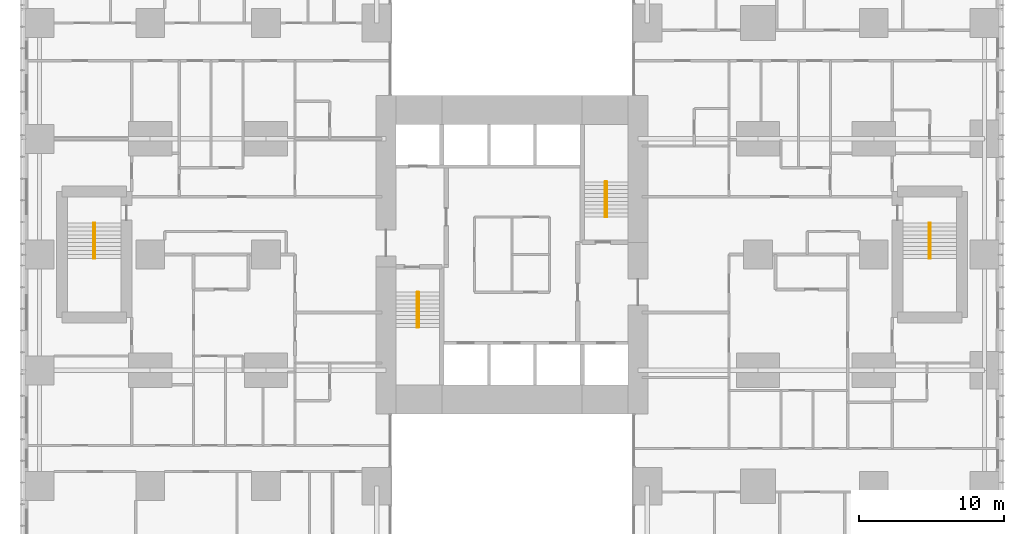
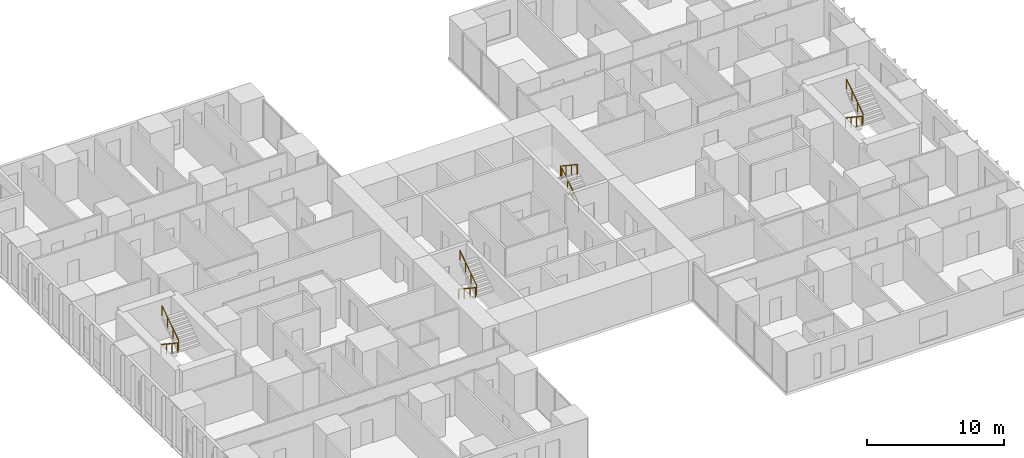
# One storey, part 20 of 20: 8 railings.
"""IFC4 building model written with IfcOpenShell, lengths in metres."""

from ifc_helpers import new_model, si_unit, direction, frame, origin, origin_2d, place, context, subcontext, project, spatial, circle, extrude, material, type_object, element, save


model = new_model("IFC4")

# Units and contexts
model_context = context("Model", 3, precision=1e-05, world=origin(), true_north=direction((0.0, 1.0)))
body_context = subcontext(model_context, "Body", "Model", "MODEL_VIEW")
ifc_project = project(units=[si_unit("LENGTHUNIT", "METRE"), si_unit("AREAUNIT", "SQUARE_METRE"), si_unit("VOLUMEUNIT", "CUBIC_METRE"), si_unit("PLANEANGLEUNIT", "RADIAN"), si_unit("MASSUNIT", "GRAM", prefix="KILO")], contexts=[model_context])

# Site, building, storey
site_placement = place(None, origin())
site = spatial("IfcSite", under=ifc_project, at=site_placement, CompositionType="ELEMENT")
building_placement = place(site_placement, origin())
building = spatial("IfcBuilding", under=site, at=building_placement, Name="Cleftline Residences", CompositionType="ELEMENT")
storey_placement = place(building_placement, frame((0.0, 0.0, 103.39990234375)))
storey = spatial("IfcBuildingStorey", under=building, at=storey_placement, Name="L26", CompositionType="ELEMENT", Elevation=103.39990234375)

# Railings
ifc_material = material(Name="Stainless steel", Category="steel")
railing_type = type_object("IfcRailingType", Name="HANDRAIL 900", PredefinedType="HANDRAIL", material=ifc_material)
railing_1_placement = place(storey_placement, frame((26.449951171875, 21.39990234375, 0.18017578125)))
element("IfcRailing", 1, at=railing_1_placement, inside=storey, type_object=railing_type, Name="Stair handrail", PredefinedType="HANDRAIL", context=body_context, shape_type="SweptSolid", body=[
    extrude(circle(Radius=0.02392578125, at=origin_2d()), frame((0.0, 0.0, 0.8759765625), z_axis=(0.0, -0.832063155534, 0.554680903946), x_axis=(1.0, 0.0, 0.0)), (0.0, 0.0, 1.0), 2.92041015625),
    extrude(circle(Radius=0.02099609375, at=origin_2d()), origin(), (0.0, 0.0, 1.0), 0.851806640625),
    extrude(circle(Radius=0.02099609375, at=origin_2d()), frame((0.0, -0.81005859375, 0.5400390625)), (0.0, 0.0, 1.0), 0.851806640625),
    extrude(circle(Radius=0.02099609375, at=origin_2d()), frame((0.0, -1.619873046875, 1.079833984375)), (0.0, 0.0, 1.0), 0.851806640625),
    extrude(circle(Radius=0.02099609375, at=origin_2d()), frame((0.0, -2.429931640625, 1.619873046875)), (0.0, 0.0, 1.0), 0.851806640625),
])
railing_2_placement = place(storey_placement, frame((26.550048828125, 18.969970703125, 1.97998046875)))
element("IfcRailing", 2, at=railing_2_placement, inside=storey, type_object=railing_type, Name="Stair handrail", PredefinedType="HANDRAIL", context=body_context, shape_type="SweptSolid", body=[
    extrude(circle(Radius=0.02392578125, at=origin_2d()), frame((0.0, 0.0, 0.8759765625), z_axis=(0.0, 0.832024571796, 0.554738778101), x_axis=(-1.0, 0.0, 0.0)), (0.0, 0.0, 1.0), 2.92041015625),
    extrude(circle(Radius=0.02099609375, at=origin_2d()), origin(), (0.0, 0.0, 1.0), 0.851806640625),
    extrude(circle(Radius=0.02099609375, at=origin_2d()), frame((0.0, 0.81005859375, 0.5400390625)), (0.0, 0.0, 1.0), 0.851806640625),
    extrude(circle(Radius=0.02099609375, at=origin_2d()), frame((0.0, 1.619873046875, 1.080078125)), (0.0, 0.0, 1.0), 0.851806640625),
    extrude(circle(Radius=0.02099609375, at=origin_2d()), frame((0.0, 2.429931640625, 1.6201171875)), (0.0, 0.0, 1.0), 0.851806640625),
])
railing_3_placement = place(storey_placement, frame((39.550048828125, 26.60009765625, 0.18017578125)))
element("IfcRailing", 3, at=railing_3_placement, inside=storey, type_object=railing_type, Name="Stair handrail", PredefinedType="HANDRAIL", context=body_context, shape_type="SweptSolid", body=[
    extrude(circle(Radius=0.02392578125, at=origin_2d()), frame((0.0, 0.0, 0.8759765625), z_axis=(0.0, 0.832063155534, 0.554680903946), x_axis=(-1.0, 0.0, 0.0)), (0.0, 0.0, 1.0), 2.92041015625),
    extrude(circle(Radius=0.02099609375, at=origin_2d()), origin(), (0.0, 0.0, 1.0), 0.851806640625),
    extrude(circle(Radius=0.02099609375, at=origin_2d()), frame((0.0, 0.81005859375, 0.5400390625)), (0.0, 0.0, 1.0), 0.851806640625),
    extrude(circle(Radius=0.02099609375, at=origin_2d()), frame((0.0, 1.619873046875, 1.079833984375)), (0.0, 0.0, 1.0), 0.851806640625),
    extrude(circle(Radius=0.02099609375, at=origin_2d()), frame((0.0, 2.429931640625, 1.619873046875)), (0.0, 0.0, 1.0), 0.851806640625),
])
railing_4_placement = place(storey_placement, frame((39.449951171875, 29.030029296875, 1.97998046875)))
element("IfcRailing", 4, at=railing_4_placement, inside=storey, type_object=railing_type, Name="Stair handrail", PredefinedType="HANDRAIL", context=body_context, shape_type="SweptSolid", body=[
    extrude(circle(Radius=0.02392578125, at=origin_2d()), frame((0.0, 0.0, 0.8759765625), z_axis=(0.0, -0.832024571796, 0.554738778101), x_axis=(1.0, 0.0, 0.0)), (0.0, 0.0, 1.0), 2.92041015625),
    extrude(circle(Radius=0.02099609375, at=origin_2d()), origin(), (0.0, 0.0, 1.0), 0.851806640625),
    extrude(circle(Radius=0.02099609375, at=origin_2d()), frame((0.0, -0.81005859375, 0.5400390625)), (0.0, 0.0, 1.0), 0.851806640625),
    extrude(circle(Radius=0.02099609375, at=origin_2d()), frame((0.0, -1.619873046875, 1.080078125)), (0.0, 0.0, 1.0), 0.851806640625),
    extrude(circle(Radius=0.02099609375, at=origin_2d()), frame((0.0, -2.429931640625, 1.6201171875)), (0.0, 0.0, 1.0), 0.851806640625),
])
railing_5_placement = place(storey_placement, frame((61.824951171875, 26.175048828125, 0.18017578125)))
element("IfcRailing", 5, at=railing_5_placement, inside=storey, type_object=railing_type, Name="Stair handrail", PredefinedType="HANDRAIL", context=body_context, shape_type="SweptSolid", body=[
    extrude(circle(Radius=0.02392578125, at=origin_2d()), frame((0.0, 0.0, 0.8759765625), z_axis=(0.0, -0.832063155534, 0.554680903946), x_axis=(1.0, 0.0, 0.0)), (0.0, 0.0, 1.0), 2.92041015625),
    extrude(circle(Radius=0.02099609375, at=origin_2d()), origin(), (0.0, 0.0, 1.0), 0.851806640625),
    extrude(circle(Radius=0.02099609375, at=origin_2d()), frame((0.0, -0.81005859375, 0.5400390625)), (0.0, 0.0, 1.0), 0.851806640625),
    extrude(circle(Radius=0.02099609375, at=origin_2d()), frame((0.0, -1.619873046875, 1.079833984375)), (0.0, 0.0, 1.0), 0.851806640625),
    extrude(circle(Radius=0.02099609375, at=origin_2d()), frame((0.0, -2.429931640625, 1.619873046875)), (0.0, 0.0, 1.0), 0.851806640625),
])
railing_6_placement = place(storey_placement, frame((61.925048828125, 23.7451171875, 1.97998046875)))
element("IfcRailing", 6, at=railing_6_placement, inside=storey, type_object=railing_type, Name="Stair handrail", PredefinedType="HANDRAIL", context=body_context, shape_type="SweptSolid", body=[
    extrude(circle(Radius=0.02392578125, at=origin_2d()), frame((0.0, 0.0, 0.8759765625), z_axis=(0.0, 0.832024571796, 0.554738778101), x_axis=(-1.0, 0.0, 0.0)), (0.0, 0.0, 1.0), 2.92041015625),
    extrude(circle(Radius=0.02099609375, at=origin_2d()), origin(), (0.0, 0.0, 1.0), 0.851806640625),
    extrude(circle(Radius=0.02099609375, at=origin_2d()), frame((0.0, 0.81005859375, 0.5400390625)), (0.0, 0.0, 1.0), 0.851806640625),
    extrude(circle(Radius=0.02099609375, at=origin_2d()), frame((0.0, 1.619873046875, 1.080078125)), (0.0, 0.0, 1.0), 0.851806640625),
    extrude(circle(Radius=0.02099609375, at=origin_2d()), frame((0.0, 2.429931640625, 1.6201171875)), (0.0, 0.0, 1.0), 0.851806640625),
])
railing_7_placement = place(storey_placement, frame((4.074951171875, 26.175048828125, 0.18017578125)))
element("IfcRailing", 7, at=railing_7_placement, inside=storey, type_object=railing_type, Name="Stair handrail", PredefinedType="HANDRAIL", context=body_context, shape_type="SweptSolid", body=[
    extrude(circle(Radius=0.02392578125, at=origin_2d()), frame((0.0, 0.0, 0.8759765625), z_axis=(0.0, -0.832063155534, 0.554680903946), x_axis=(1.0, 0.0, 0.0)), (0.0, 0.0, 1.0), 2.92041015625),
    extrude(circle(Radius=0.02099609375, at=origin_2d()), origin(), (0.0, 0.0, 1.0), 0.851806640625),
    extrude(circle(Radius=0.02099609375, at=origin_2d()), frame((0.0, -0.81005859375, 0.5400390625)), (0.0, 0.0, 1.0), 0.851806640625),
    extrude(circle(Radius=0.02099609375, at=origin_2d()), frame((0.0, -1.619873046875, 1.079833984375)), (0.0, 0.0, 1.0), 0.851806640625),
    extrude(circle(Radius=0.02099609375, at=origin_2d()), frame((0.0, -2.429931640625, 1.619873046875)), (0.0, 0.0, 1.0), 0.851806640625),
])
railing_8_placement = place(storey_placement, frame((4.175048828125, 23.7451171875, 1.97998046875)))
element("IfcRailing", 8, at=railing_8_placement, inside=storey, type_object=railing_type, Name="Stair handrail", PredefinedType="HANDRAIL", context=body_context, shape_type="SweptSolid", body=[
    extrude(circle(Radius=0.02392578125, at=origin_2d()), frame((0.0, 0.0, 0.8759765625), z_axis=(0.0, 0.832024571796, 0.554738778101), x_axis=(-1.0, 0.0, 0.0)), (0.0, 0.0, 1.0), 2.92041015625),
    extrude(circle(Radius=0.02099609375, at=origin_2d()), origin(), (0.0, 0.0, 1.0), 0.851806640625),
    extrude(circle(Radius=0.02099609375, at=origin_2d()), frame((0.0, 0.81005859375, 0.5400390625)), (0.0, 0.0, 1.0), 0.851806640625),
    extrude(circle(Radius=0.02099609375, at=origin_2d()), frame((0.0, 1.619873046875, 1.080078125)), (0.0, 0.0, 1.0), 0.851806640625),
    extrude(circle(Radius=0.02099609375, at=origin_2d()), frame((0.0, 2.429931640625, 1.6201171875)), (0.0, 0.0, 1.0), 0.851806640625),
])

save(model, "model.ifc")
